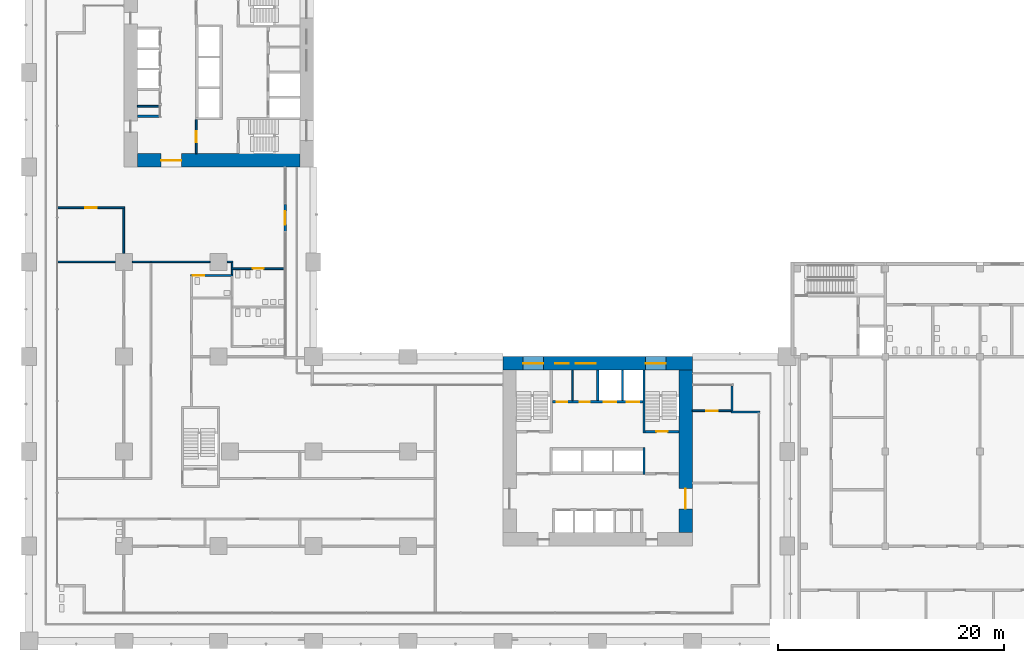
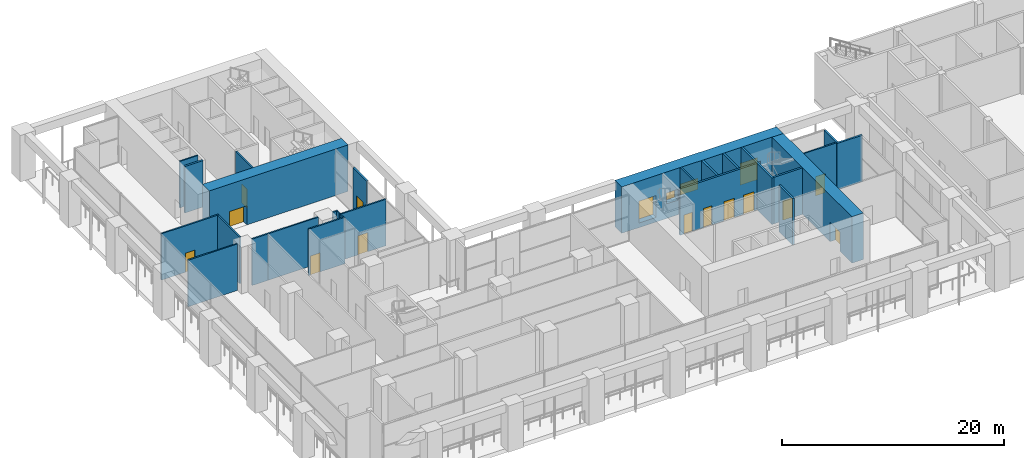
# One storey, part 17 of 33: 27 walls, 13 doors, 4 windows, 17 openings.
"""IFC4 building model written with IfcOpenShell, lengths in metres."""

from ifc_helpers import new_model, si_unit, direction, frame, frame_2d, origin, place, context, subcontext, project, spatial, rectangle, extrude, material, layer, layer_set, type_object, element, fill, save


model = new_model("IFC4")

# Units and contexts
model_context = context("Model", 3, precision=1e-05, world=origin(), true_north=direction((0.0, 1.0)))
body_context = subcontext(model_context, "Body", "Model", "MODEL_VIEW")
ifc_project = project(units=[si_unit("LENGTHUNIT", "METRE"), si_unit("AREAUNIT", "SQUARE_METRE"), si_unit("VOLUMEUNIT", "CUBIC_METRE"), si_unit("PLANEANGLEUNIT", "RADIAN"), si_unit("MASSUNIT", "GRAM", prefix="KILO")], contexts=[model_context])

# Site, building, storey
site_placement = place(None, origin())
site = spatial("IfcSite", under=ifc_project, at=site_placement, CompositionType="ELEMENT")
building_placement = place(site_placement, origin())
building = spatial("IfcBuilding", under=site, at=building_placement, Name="Vermilion Gate Residences", CompositionType="ELEMENT")
storey_placement = place(building_placement, frame((0.0, 0.0, 14.39990234375)))
storey = spatial("IfcBuildingStorey", under=building, at=storey_placement, Name="L02", CompositionType="ELEMENT", Elevation=14.39990234375)

# Walls
ifc_material_1 = material(Name="Masonry blockwork", Category="masonry")
ifc_layer_1 = layer(ifc_material_1, 0.14990234375)
ifc_layer_set_1 = layer_set([ifc_layer_1], Name="BLOCKWORK PARTITION 150 EI 120")
wall_type_1 = type_object("IfcWallType", Name="BLOCKWORK PARTITION 150 EI 120", PredefinedType="PARTITIONING", material=ifc_layer_set_1)
wall_1_placement = place(storey_placement, frame((48.16259765625, 21.300048828125, 0.0), z_axis=(0.0, 0.0, 1.0), x_axis=(0.0, 1.0, 0.0)))
element("IfcWall", 1, at=wall_1_placement, inside=storey, type_object=wall_type_1, Name="Core room partition A02-NR-P0", PredefinedType="PARTITIONING", context=body_context, shape_type="SweptSolid", body=[
    extrude(rectangle(XDim=2.699951171875, YDim=0.14990234375, at=frame_2d((1.35009765625, 0.0))), origin(), (0.0, 0.0, 1.0), 5.10009765625),
])
wall_2_placement = place(storey_placement, frame((9.60009765625, 47.392578125, 0.0), z_axis=(0.0, 0.0, 1.0), x_axis=(1.0, 0.0, 0.0)))
element("IfcWall", 2, at=wall_2_placement, inside=storey, type_object=wall_type_1, Name="Core room partition B02-SR-P0", PredefinedType="PARTITIONING", context=body_context, shape_type="SweptSolid", body=[
    extrude(rectangle(XDim=1.89990234375, YDim=0.14990234375, at=frame_2d((0.949951171875, 0.0))), origin(), (0.0, 0.0, 1.0), 5.10009765625),
])

# Wall, opening, door
wall_3_placement = place(storey_placement, frame((14.824951171875, 46.199951171875, 0.0), z_axis=(0.0, 0.0, 1.0), x_axis=(0.0, -1.0, 0.0)))
wall_3 = element("IfcWall", 3, at=wall_3_placement, inside=storey, type_object=wall_type_1, Name="Core room partition B02-VE-S", PredefinedType="PARTITIONING", context=body_context, shape_type="SweptSolid", body=[
    extrude(rectangle(XDim=3.0, YDim=0.14990234375, at=frame_2d((1.5, 0.0))), origin(), (0.0, 0.0, 1.0), 5.10009765625),
])
opening_1_placement = place(wall_3_placement, frame((1.0, 0.0, 0.0)))
opening_1 = element("IfcOpeningElement", 4, at=opening_1_placement, cuts=wall_3, Name="Opening DK02115", PredefinedType="OPENING", context=body_context, shape_type="SweptSolid", body=[
    extrude(rectangle(XDim=1.0, YDim=2.10009765625, at=frame_2d((0.5, 1.050048828125))), frame((0.0, 0.0849609375, 0.0), z_axis=(0.0, -1.0, 0.0), x_axis=(1.0, 0.0, 0.0)), (0.0, 0.0, 1.0), 0.169921875),
])
ifc_material_2 = material(Name="Steel", Category="steel")
door_type_1 = type_object("IfcDoorType", Name="FIRE DOOR FD60 1000 X 2100", OperationType="SINGLE_SWING_LEFT", PredefinedType="DOOR", material=ifc_material_2)
door_1_placement = place(opening_1_placement, frame((1.0, 0.0, 0.0), z_axis=(0.0, 0.0, 1.0), x_axis=(-1.0, 0.0, 0.0)))
door_1 = element("IfcDoor", 5, at=door_1_placement, inside=storey, type_object=door_type_1, Name="Stair vestibule door B02", OperationType="SINGLE_SWING_LEFT", OverallHeight=2.10009765625, OverallWidth=1.0, PredefinedType="DOOR", context=body_context, shape_type="SweptSolid", body=[
    extrude(rectangle(XDim=1.0, YDim=2.10009765625, at=frame_2d((0.5, 1.050048828125))), frame((0.0, 0.02490234375, 0.0), z_axis=(0.0, -1.0, 0.0), x_axis=(1.0, 0.0, 0.0)), (0.0, 0.0, 1.0), 0.050048828125),
])
fill(opening_1, door_1)

# Walls
ifc_material_3 = material(Name="Insulated steel stud wall with terracotta rainscreen", Category="masonry")
ifc_layer_2 = layer(ifc_material_3, 0.199951171875)
ifc_layer_set_2 = layer_set([ifc_layer_2], Name="EXTERNAL WALL 200 TERRACOTTA RAINSCREEN")
wall_type_2 = type_object("IfcWallType", Name="EXTERNAL WALL 200 TERRACOTTA RAINSCREEN", PredefinedType="SOLIDWALL", material=ifc_layer_set_2)
wall_4_placement = place(storey_placement, frame((64.800048828125, 20.300048828125, 0.0), z_axis=(0.0, 0.0, 1.0), x_axis=(-1.0, 0.0, 0.0)))
element("IfcWall", 6, at=wall_4_placement, inside=storey, type_object=wall_type_2, Name="External wall", PredefinedType="SOLIDWALL", context=body_context, shape_type="SweptSolid", body=[
    extrude(rectangle(XDim=2.60009765625, YDim=0.199951171875, at=frame_2d((1.300048828125, 0.0))), origin(), (0.0, 0.0, 1.0), 5.10009765625),
])
wall_5_placement = place(storey_placement, frame((62.300048828125, 20.39990234375, 0.0), z_axis=(0.0, 0.0, 1.0), x_axis=(0.0, 1.0, 0.0)))
element("IfcWall", 7, at=wall_5_placement, inside=storey, type_object=wall_type_2, Name="External wall", PredefinedType="SOLIDWALL", context=body_context, shape_type="SweptSolid", body=[
    extrude(rectangle(XDim=2.2001953125, YDim=0.199951171875, at=frame_2d((1.10009765625, 0.0))), origin(), (0.0, 0.0, 1.0), 5.10009765625),
])

# Wall, opening, door
wall_6_placement = place(storey_placement, frame((22.699951171875, 36.300048828125, 0.0), z_axis=(0.0, 0.0, 1.0), x_axis=(0.0, 1.0, 0.0)))
wall_6 = element("IfcWall", 8, at=wall_6_placement, inside=storey, type_object=wall_type_2, Name="External wall", PredefinedType="SOLIDWALL", context=body_context, shape_type="SweptSolid", body=[
    extrude(rectangle(XDim=2.39990234375, YDim=0.199951171875, at=frame_2d((1.199951171875, 0.0))), origin(), (0.0, 0.0, 1.0), 5.10009765625),
])
opening_2_placement = place(wall_6_placement, frame((0.60009765625, 0.0, 0.0)))
opening_2 = element("IfcOpeningElement", 9, at=opening_2_placement, cuts=wall_6, Name="Opening DE02003", PredefinedType="OPENING", context=body_context, shape_type="SweptSolid", body=[
    extrude(rectangle(XDim=1.199951171875, YDim=2.39990234375, at=frame_2d((0.60009765625, 1.199951171875))), frame((0.0, 0.10986328125, 0.0), z_axis=(0.0, -1.0, 0.0), x_axis=(1.0, 0.0, 0.0)), (0.0, 0.0, 1.0), 0.219970703125),
])
ifc_material_4 = material(Name="Aluminium and clear glass", Category="aluminium")
door_type_2 = type_object("IfcDoorType", Name="GLAZED EXTERNAL DOOR 1200 X 2400", OperationType="SINGLE_SWING_LEFT", PredefinedType="DOOR", material=ifc_material_4)
door_2_placement = place(opening_2_placement, frame((1.199951171875, 0.0, 0.0), z_axis=(0.0, 0.0, 1.0), x_axis=(-1.0, 0.0, 0.0)))
door_2 = element("IfcDoor", 10, at=door_2_placement, inside=storey, type_object=door_type_2, Name="Terrace door", OperationType="SINGLE_SWING_RIGHT", OverallHeight=2.39990234375, OverallWidth=1.199951171875, PredefinedType="DOOR", context=body_context, shape_type="SweptSolid", body=[
    extrude(rectangle(XDim=1.199951171875, YDim=2.39990234375, at=frame_2d((0.60009765625, 1.199951171875))), frame((0.0, 0.02490234375, 0.0), z_axis=(0.0, -1.0, 0.0), x_axis=(1.0, 0.0, 0.0)), (0.0, 0.0, 1.0), 0.050048828125),
])
fill(opening_2, door_2)

# Wall
ifc_material_5 = material(Name="Gypsum board on steel studs", Category="steel")
ifc_layer_3 = layer(ifc_material_5, 0.14990234375)
ifc_layer_set_3 = layer_set([ifc_layer_3], Name="PARTITION 150 EI 60 (AMENITY)")
wall_type_3 = type_object("IfcWallType", Name="PARTITION 150 EI 60 (AMENITY)", PredefinedType="PARTITIONING", material=ifc_layer_set_3)
wall_7_placement = place(storey_placement, frame((2.5, 33.60009765625, 0.0), z_axis=(0.0, 0.0, 1.0), x_axis=(1.0, 0.0, 0.0)))
element("IfcWall", 11, at=wall_7_placement, inside=storey, type_object=wall_type_3, Name="Partition 3", PredefinedType="PARTITIONING", context=body_context, shape_type="SweptSolid", body=[
    extrude(rectangle(XDim=5.14990234375, YDim=0.14990234375, at=frame_2d((2.574951171875, 0.0))), origin(), (0.0, 0.0, 1.0), 5.10009765625),
])

# Wall, opening, door
wall_8_placement = place(storey_placement, frame((2.5, 38.39990234375, 0.0), z_axis=(0.0, 0.0, 1.0), x_axis=(1.0, 0.0, 0.0)))
wall_8 = element("IfcWall", 12, at=wall_8_placement, inside=storey, type_object=wall_type_3, Name="Partition 4", PredefinedType="PARTITIONING", context=body_context, shape_type="SweptSolid", body=[
    extrude(rectangle(XDim=5.97509765625, YDim=0.14990234375, at=frame_2d((2.987548828125, 0.0))), origin(), (0.0, 0.0, 1.0), 5.10009765625),
])
opening_3_placement = place(wall_8_placement, frame((2.487548828125, 0.0, 0.0)))
opening_3 = element("IfcOpeningElement", 13, at=opening_3_placement, cuts=wall_8, Name="Opening DM02016", PredefinedType="OPENING", context=body_context, shape_type="SweptSolid", body=[
    extrude(rectangle(XDim=1.0, YDim=2.10009765625, at=frame_2d((0.5, 1.050048828125))), frame((0.0, 0.0849609375, 0.0), z_axis=(0.0, -1.0, 0.0), x_axis=(1.0, 0.0, 0.0)), (0.0, 0.0, 1.0), 0.169921875),
])
ifc_material_6 = material(Name="Steel", Category="steel")
door_type_3 = type_object("IfcDoorType", Name="DOOR 1000 X 2100 FD30 (AMENITY)", OperationType="SINGLE_SWING_LEFT", PredefinedType="DOOR", material=ifc_material_6)
door_3_placement = place(opening_3_placement, frame((1.0, 0.0, 0.0), z_axis=(0.0, 0.0, 1.0), x_axis=(-1.0, 0.0, 0.0)))
door_3 = element("IfcDoor", 14, at=door_3_placement, inside=storey, type_object=door_type_3, Name="Door L02 16", OperationType="SINGLE_SWING_LEFT", OverallHeight=2.10009765625, OverallWidth=1.0, PredefinedType="DOOR", context=body_context, shape_type="SweptSolid", body=[
    extrude(rectangle(XDim=1.0, YDim=2.10009765625, at=frame_2d((0.5, 1.050048828125))), frame((0.0, 0.02490234375, 0.0), z_axis=(0.0, -1.0, 0.0), x_axis=(1.0, 0.0, 0.0)), (0.0, 0.0, 1.0), 0.050048828125),
])
fill(opening_3, door_3)

# Walls
wall_9_placement = place(storey_placement, frame((8.39990234375, 34.35009765625, 0.0), z_axis=(0.0, 0.0, 1.0), x_axis=(0.0, 1.0, 0.0)))
element("IfcWall", 15, at=wall_9_placement, inside=storey, type_object=wall_type_3, Name="Partition 13", PredefinedType="PARTITIONING", context=body_context, shape_type="SweptSolid", body=[
    extrude(rectangle(XDim=3.974853515625, YDim=0.14990234375, at=frame_2d((1.9873046875, 0.0))), origin(), (0.0, 0.0, 1.0), 5.10009765625),
])
wall_10_placement = place(storey_placement, frame((9.14990234375, 33.60009765625, 0.0), z_axis=(0.0, 0.0, 1.0), x_axis=(1.0, 0.0, 0.0)))
element("IfcWall", 16, at=wall_10_placement, inside=storey, type_object=wall_type_3, Name="Partition 14", PredefinedType="PARTITIONING", context=body_context, shape_type="SweptSolid", body=[
    extrude(rectangle(XDim=1.650146484375, YDim=0.14990234375, at=frame_2d((0.8251953125, 0.0))), origin(), (0.0, 0.0, 1.0), 5.10009765625),
])
wall_11_placement = place(storey_placement, frame((10.800048828125, 33.60009765625, 0.0), z_axis=(0.0, 0.0, 1.0), x_axis=(1.0, 0.0, 0.0)))
element("IfcWall", 17, at=wall_11_placement, inside=storey, type_object=wall_type_3, Name="Partition 16", PredefinedType="PARTITIONING", context=body_context, shape_type="SweptSolid", body=[
    extrude(rectangle(XDim=5.25, YDim=0.14990234375, at=frame_2d((2.625, 0.0))), origin(), (0.0, 0.0, 1.0), 5.10009765625),
])
wall_12_placement = place(storey_placement, frame((17.550048828125, 33.60009765625, 0.0), z_axis=(0.0, 0.0, 1.0), x_axis=(1.0, 0.0, 0.0)))
element("IfcWall", 18, at=wall_12_placement, inside=storey, type_object=wall_type_3, Name="Partition 17", PredefinedType="PARTITIONING", context=body_context, shape_type="SweptSolid", body=[
    extrude(rectangle(XDim=0.52490234375, YDim=0.14990234375, at=frame_2d((0.262451171875, 0.0))), origin(), (0.0, 0.0, 1.0), 5.10009765625),
])

# Wall, opening, door
wall_13_placement = place(storey_placement, frame((14.324951171875, 32.39990234375, 0.0), z_axis=(0.0, 0.0, 1.0), x_axis=(1.0, 0.0, 0.0)))
wall_13 = element("IfcWall", 19, at=wall_13_placement, inside=storey, type_object=wall_type_3, Name="Partition 24", PredefinedType="PARTITIONING", context=body_context, shape_type="SweptSolid", body=[
    extrude(rectangle(XDim=3.75, YDim=0.14990234375, at=frame_2d((1.875, 0.0))), origin(), (0.0, 0.0, 1.0), 5.10009765625),
])
opening_4_placement = place(wall_13_placement, frame((0.199951171875, 0.0, 0.0)))
opening_4 = element("IfcOpeningElement", 20, at=opening_4_placement, cuts=wall_13, Name="Opening DM02014", PredefinedType="OPENING", context=body_context, shape_type="SweptSolid", body=[
    extrude(rectangle(XDim=1.0, YDim=2.10009765625, at=frame_2d((0.5, 1.050048828125))), frame((0.0, 0.0849609375, 0.0), z_axis=(0.0, -1.0, 0.0), x_axis=(1.0, 0.0, 0.0)), (0.0, 0.0, 1.0), 0.169921875),
])
door_4_placement = place(opening_4_placement, frame((1.0, 0.0, 0.0), z_axis=(0.0, 0.0, 1.0), x_axis=(-1.0, 0.0, 0.0)))
door_4 = element("IfcDoor", 21, at=door_4_placement, inside=storey, type_object=door_type_3, Name="Door L02 14", OperationType="SINGLE_SWING_RIGHT", OverallHeight=2.10009765625, OverallWidth=1.0, PredefinedType="DOOR", context=body_context, shape_type="SweptSolid", body=[
    extrude(rectangle(XDim=1.0, YDim=2.10009765625, at=frame_2d((0.5, 1.050048828125))), frame((0.0, 0.02490234375, 0.0), z_axis=(0.0, -1.0, 0.0), x_axis=(1.0, 0.0, 0.0)), (0.0, 0.0, 1.0), 0.050048828125),
])
fill(opening_4, door_4)

# Walls
for number, where, z_axis, x_axis, name in (
    (22, (18.0, 32.47509765625, 0.0), (0.0, 0.0, 1.0), (0.0, 1.0, 0.0), "Partition 36"),
    (23, (18.0, 33.074951171875, 0.0), (0.0, 0.0, 1.0), (0.0, 1.0, 0.0), "Partition 37"),
):
    element("IfcWall", number, at=place(storey_placement, frame(where, z_axis=z_axis, x_axis=x_axis)), inside=storey, type_object=wall_type_3, Name=name, PredefinedType="PARTITIONING", context=body_context, shape_type="SweptSolid", body=[
        extrude(rectangle(XDim=0.449951171875, YDim=0.14990234375, at=frame_2d((0.22509765625, 0.0))), origin(), (0.0, 0.0, 1.0), 5.10009765625),
    ])

# Wall, opening, door
wall_14_placement = place(storey_placement, frame((17.925048828125, 33.0, 0.0), z_axis=(0.0, 0.0, 1.0), x_axis=(1.0, 0.0, 0.0)))
wall_14 = element("IfcWall", 24, at=wall_14_placement, inside=storey, type_object=wall_type_3, Name="Partition 38", PredefinedType="PARTITIONING", context=body_context, shape_type="SweptSolid", body=[
    extrude(rectangle(XDim=4.77490234375, YDim=0.14990234375, at=frame_2d((2.387451171875, 0.0))), origin(), (0.0, 0.0, 1.0), 5.10009765625),
])
opening_5_placement = place(wall_14_placement, frame((1.887451171875, 0.0, 0.0)))
opening_5 = element("IfcOpeningElement", 25, at=opening_5_placement, cuts=wall_14, Name="Opening DM02013", PredefinedType="OPENING", context=body_context, shape_type="SweptSolid", body=[
    extrude(rectangle(XDim=1.0, YDim=2.10009765625, at=frame_2d((0.5, 1.050048828125))), frame((0.0, 0.0849609375, 0.0), z_axis=(0.0, -1.0, 0.0), x_axis=(1.0, 0.0, 0.0)), (0.0, 0.0, 1.0), 0.169921875),
])
door_5_placement = place(opening_5_placement, origin())
door_5 = element("IfcDoor", 26, at=door_5_placement, inside=storey, type_object=door_type_3, Name="Door L02 13", OperationType="SINGLE_SWING_LEFT", OverallHeight=2.10009765625, OverallWidth=1.0, PredefinedType="DOOR", context=body_context, shape_type="SweptSolid", body=[
    extrude(rectangle(XDim=1.0, YDim=2.10009765625, at=frame_2d((0.5, 1.050048828125))), frame((0.0, 0.02490234375, 0.0), z_axis=(0.0, -1.0, 0.0), x_axis=(1.0, 0.0, 0.0)), (0.0, 0.0, 1.0), 0.050048828125),
])
fill(opening_5, door_5)

wall_15_placement = place(storey_placement, frame((58.800048828125, 20.39990234375, 0.0), z_axis=(0.0, 0.0, 1.0), x_axis=(1.0, 0.0, 0.0)))
wall_15 = element("IfcWall", 27, at=wall_15_placement, inside=storey, type_object=wall_type_3, Name="Partition 55", PredefinedType="PARTITIONING", context=body_context, shape_type="SweptSolid", body=[
    extrude(rectangle(XDim=3.5, YDim=0.14990234375, at=frame_2d((1.75, 0.0))), origin(), (0.0, 0.0, 1.0), 5.10009765625),
])
opening_6_placement = place(wall_15_placement, frame((1.25, 0.0, 0.0)))
opening_6 = element("IfcOpeningElement", 28, at=opening_6_placement, cuts=wall_15, Name="Opening DM02018", PredefinedType="OPENING", context=body_context, shape_type="SweptSolid", body=[
    extrude(rectangle(XDim=1.0, YDim=2.10009765625, at=frame_2d((0.5, 1.050048828125))), frame((0.0, 0.0849609375, 0.0), z_axis=(0.0, -1.0, 0.0), x_axis=(1.0, 0.0, 0.0)), (0.0, 0.0, 1.0), 0.169921875),
])
door_6_placement = place(opening_6_placement, origin())
door_6 = element("IfcDoor", 29, at=door_6_placement, inside=storey, type_object=door_type_3, Name="Door L02 18", OperationType="SINGLE_SWING_RIGHT", OverallHeight=2.10009765625, OverallWidth=1.0, PredefinedType="DOOR", context=body_context, shape_type="SweptSolid", body=[
    extrude(rectangle(XDim=1.0, YDim=2.10009765625, at=frame_2d((0.5, 1.050048828125))), frame((0.0, 0.02490234375, 0.0), z_axis=(0.0, -1.0, 0.0), x_axis=(1.0, 0.0, 0.0)), (0.0, 0.0, 1.0), 0.050048828125),
])
fill(opening_6, door_6)

# Walls
ifc_material_7 = material(Name="Concrete C60", Category="concrete")
ifc_layer_4 = layer(ifc_material_7, 0.199951171875)
ifc_layer_set_4 = layer_set([ifc_layer_4], Name="RC CORE INTERNAL WALL 200 C60")
wall_type_4 = type_object("IfcWallType", Name="RC CORE INTERNAL WALL 200 C60", PredefinedType="SHEAR", material=ifc_layer_set_4)
for number, where, z_axis, x_axis, name in (
    (30, (50.39990234375, 21.300048828125, 0.0), (0.0, 0.0, 1.0), (0.0, 1.0, 0.0), "Core internal wall A02-FF-D0"),
    (31, (52.60009765625, 21.300048828125, 0.0), (0.0, 0.0, 1.0), (0.0, 1.0, 0.0), "Core internal wall A02-FF-D1"),
):
    element("IfcWall", number, at=place(storey_placement, frame(where, z_axis=z_axis, x_axis=x_axis)), inside=storey, type_object=wall_type_4, Name=name, PredefinedType="SHEAR", context=body_context, shape_type="SweptSolid", body=[
        extrude(rectangle(XDim=2.699951171875, YDim=0.199951171875, at=frame_2d((1.35009765625, 0.0))), origin(), (0.0, 0.0, 1.0), 5.10009765625),
    ])

# Wall, openings, doors
wall_16_placement = place(storey_placement, frame((46.39990234375, 21.199951171875, 0.0), z_axis=(0.0, 0.0, 1.0), x_axis=(1.0, 0.0, 0.0)))
wall_16 = element("IfcWall", 32, at=wall_16_placement, inside=storey, type_object=wall_type_4, Name="Core internal wall A02-FF-F", PredefinedType="SHEAR", context=body_context, shape_type="SweptSolid", body=[
    extrude(rectangle(XDim=8.0, YDim=0.199951171875, at=frame_2d((4.0, 0.0))), origin(), (0.0, 0.0, 1.0), 5.10009765625),
])
opening_7_placement = place(wall_16_placement, frame((0.393798828125, 0.0, 0.0)))
opening_7 = element("IfcOpeningElement", 33, at=opening_7_placement, cuts=wall_16, Name="Opening DK02010", PredefinedType="OPENING", context=body_context, shape_type="SweptSolid", body=[
    extrude(rectangle(XDim=0.89990234375, YDim=2.10009765625, at=frame_2d((0.449951171875, 1.050048828125))), frame((0.0, 0.10986328125, 0.0), z_axis=(0.0, -1.0, 0.0), x_axis=(1.0, 0.0, 0.0)), (0.0, 0.0, 1.0), 0.219970703125),
])
opening_8_placement = place(wall_16_placement, frame((2.418701171875, 0.0, 0.0)))
opening_8 = element("IfcOpeningElement", 34, at=opening_8_placement, cuts=wall_16, Name="Opening DK02011", PredefinedType="OPENING", context=body_context, shape_type="SweptSolid", body=[
    extrude(rectangle(XDim=0.89990234375, YDim=2.10009765625, at=frame_2d((0.449951171875, 1.050048828125))), frame((0.0, 0.10986328125, 0.0), z_axis=(0.0, -1.0, 0.0), x_axis=(1.0, 0.0, 0.0)), (0.0, 0.0, 1.0), 0.219970703125),
])
opening_9_placement = place(wall_16_placement, frame((4.550048828125, 0.0, 0.0)))
opening_9 = element("IfcOpeningElement", 35, at=opening_9_placement, cuts=wall_16, Name="Opening LD", PredefinedType="OPENING", context=body_context, shape_type="SweptSolid", body=[
    extrude(rectangle(XDim=1.10009765625, YDim=2.10009765625, at=frame_2d((0.550048828125, 1.050048828125))), frame((0.0, 0.10986328125, 0.0), z_axis=(0.0, -1.0, 0.0), x_axis=(1.0, 0.0, 0.0)), (0.0, 0.0, 1.0), 0.219970703125),
])
opening_10_placement = place(wall_16_placement, frame((6.60009765625, 0.0, 0.0)))
opening_10 = element("IfcOpeningElement", 36, at=opening_10_placement, cuts=wall_16, Name="Opening LD", PredefinedType="OPENING", context=body_context, shape_type="SweptSolid", body=[
    extrude(rectangle(XDim=1.10009765625, YDim=2.10009765625, at=frame_2d((0.550048828125, 1.050048828125))), frame((0.0, 0.10986328125, 0.0), z_axis=(0.0, -1.0, 0.0), x_axis=(1.0, 0.0, 0.0)), (0.0, 0.0, 1.0), 0.219970703125),
])
ifc_material_8 = material(Name="Stainless steel", Category="steel")
door_type_4 = type_object("IfcDoorType", Name="LIFT LANDING DOOR E60 1100 X 2100", OperationType="DOUBLE_DOOR_SLIDING", PredefinedType="DOOR", material=ifc_material_8)
door_7_placement = place(opening_9_placement, origin())
door_7 = element("IfcDoor", 37, at=door_7_placement, inside=storey, type_object=door_type_4, Name="Lift landing door LFA1", OperationType="DOUBLE_DOOR_SLIDING", OverallHeight=2.10009765625, OverallWidth=1.10009765625, PredefinedType="DOOR", context=body_context, shape_type="SweptSolid", body=[
    extrude(rectangle(XDim=1.10009765625, YDim=2.10009765625, at=frame_2d((0.550048828125, 1.050048828125))), frame((0.0, 0.02490234375, 0.0), z_axis=(0.0, -1.0, 0.0), x_axis=(1.0, 0.0, 0.0)), (0.0, 0.0, 1.0), 0.050048828125),
])
fill(opening_9, door_7)
door_8_placement = place(opening_10_placement, origin())
door_8 = element("IfcDoor", 38, at=door_8_placement, inside=storey, type_object=door_type_4, Name="Lift landing door LCA1", OperationType="DOUBLE_DOOR_SLIDING", OverallHeight=2.10009765625, OverallWidth=1.10009765625, PredefinedType="DOOR", context=body_context, shape_type="SweptSolid", body=[
    extrude(rectangle(XDim=1.10009765625, YDim=2.10009765625, at=frame_2d((0.550048828125, 1.050048828125))), frame((0.0, 0.02490234375, 0.0), z_axis=(0.0, -1.0, 0.0), x_axis=(1.0, 0.0, 0.0)), (0.0, 0.0, 1.0), 0.050048828125),
])
fill(opening_10, door_8)
ifc_material_9 = material(Name="Steel", Category="steel")
door_type_5 = type_object("IfcDoorType", Name="SERVICE ROOM DOOR FD60 900 X 2100", OperationType="SINGLE_SWING_LEFT", PredefinedType="DOOR", material=ifc_material_9)
door_9_placement = place(opening_7_placement, origin())
door_9 = element("IfcDoor", 39, at=door_9_placement, inside=storey, type_object=door_type_5, Name="Housekeeping store A02", OperationType="SINGLE_SWING_LEFT", OverallHeight=2.10009765625, OverallWidth=0.89990234375, PredefinedType="DOOR", context=body_context, shape_type="SweptSolid", body=[
    extrude(rectangle(XDim=0.89990234375, YDim=2.10009765625, at=frame_2d((0.449951171875, 1.050048828125))), frame((0.0, 0.02490234375, 0.0), z_axis=(0.0, -1.0, 0.0), x_axis=(1.0, 0.0, 0.0)), (0.0, 0.0, 1.0), 0.050048828125),
])
fill(opening_7, door_9)
door_10_placement = place(opening_8_placement, origin())
door_10 = element("IfcDoor", 40, at=door_10_placement, inside=storey, type_object=door_type_5, Name="Mail room A02", OperationType="SINGLE_SWING_LEFT", OverallHeight=2.10009765625, OverallWidth=0.89990234375, PredefinedType="DOOR", context=body_context, shape_type="SweptSolid", body=[
    extrude(rectangle(XDim=0.89990234375, YDim=2.10009765625, at=frame_2d((0.449951171875, 1.050048828125))), frame((0.0, 0.02490234375, 0.0), z_axis=(0.0, -1.0, 0.0), x_axis=(1.0, 0.0, 0.0)), (0.0, 0.0, 1.0), 0.050048828125),
])
fill(opening_8, door_10)

# Walls
wall_17_placement = place(storey_placement, frame((54.5, 14.75, 0.0), z_axis=(0.0, 0.0, 1.0), x_axis=(0.0, 1.0, 0.0)))
element("IfcWall", 41, at=wall_17_placement, inside=storey, type_object=wall_type_4, Name="Core internal wall A02-EDIV1", PredefinedType="SHEAR", context=body_context, shape_type="SweptSolid", body=[
    extrude(rectangle(XDim=2.39990234375, YDim=0.199951171875, at=frame_2d((1.199951171875, 0.0))), origin(), (0.0, 0.0, 1.0), 5.10009765625),
])
wall_18_placement = place(storey_placement, frame((54.5, 18.449951171875, 0.0), z_axis=(0.0, 0.0, 1.0), x_axis=(0.0, 1.0, 0.0)))
element("IfcWall", 42, at=wall_18_placement, inside=storey, type_object=wall_type_4, Name="Core internal wall A02-EDIV2", PredefinedType="SHEAR", context=body_context, shape_type="SweptSolid", body=[
    extrude(rectangle(XDim=5.550048828125, YDim=0.199951171875, at=frame_2d((2.77490234375, 0.0))), origin(), (0.0, 0.0, 1.0), 5.10009765625),
])

# Wall, opening, door
wall_19_placement = place(storey_placement, frame((54.60009765625, 18.550048828125, 0.0), z_axis=(0.0, 0.0, 1.0), x_axis=(1.0, 0.0, 0.0)))
wall_19 = element("IfcWall", 43, at=wall_19_placement, inside=storey, type_object=wall_type_4, Name="Core internal wall A02-STE-S", PredefinedType="SHEAR", context=body_context, shape_type="SweptSolid", body=[
    extrude(rectangle(XDim=3.0, YDim=0.199951171875, at=frame_2d((1.5, 0.0))), origin(), (0.0, 0.0, 1.0), 5.10009765625),
])
opening_11_placement = place(wall_19_placement, frame((1.0, 0.0, 0.0)))
opening_11 = element("IfcOpeningElement", 44, at=opening_11_placement, cuts=wall_19, Name="Opening DK02017", PredefinedType="OPENING", context=body_context, shape_type="SweptSolid", body=[
    extrude(rectangle(XDim=1.0, YDim=2.10009765625, at=frame_2d((0.5, 1.050048828125))), frame((0.0, 0.10986328125, 0.0), z_axis=(0.0, -1.0, 0.0), x_axis=(1.0, 0.0, 0.0)), (0.0, 0.0, 1.0), 0.219970703125),
])
door_11_placement = place(opening_11_placement, origin())
door_11 = element("IfcDoor", 45, at=door_11_placement, inside=storey, type_object=door_type_1, Name="Stair door A02", OperationType="SINGLE_SWING_LEFT", OverallHeight=2.10009765625, OverallWidth=1.0, PredefinedType="DOOR", context=body_context, shape_type="SweptSolid", body=[
    extrude(rectangle(XDim=1.0, YDim=2.10009765625, at=frame_2d((0.5, 1.050048828125))), frame((0.0, 0.02490234375, 0.0), z_axis=(0.0, -1.0, 0.0), x_axis=(1.0, 0.0, 0.0)), (0.0, 0.0, 1.0), 0.050048828125),
])
fill(opening_11, door_11)

# Wall
wall_20_placement = place(storey_placement, frame((9.60009765625, 46.5, 0.0), z_axis=(0.0, 0.0, 1.0), x_axis=(1.0, 0.0, 0.0)))
element("IfcWall", 46, at=wall_20_placement, inside=storey, type_object=wall_type_4, Name="Core internal wall B02-LR-DE", PredefinedType="SHEAR", context=body_context, shape_type="SweptSolid", body=[
    extrude(rectangle(XDim=1.89990234375, YDim=0.199951171875, at=frame_2d((0.949951171875, 0.0))), origin(), (0.0, 0.0, 1.0), 5.10009765625),
])

# Wall, opening, door
ifc_material_10 = material(Name="Concrete C80", Category="concrete")
ifc_layer_5 = layer(ifc_material_10, 1.199951171875)
ifc_layer_set_5 = layer_set([ifc_layer_5], Name="RC CORE WALL 1200 C80")
wall_type_5 = type_object("IfcWallType", Name="RC CORE WALL 1200 C80", PredefinedType="SHEAR", material=ifc_layer_set_5)
wall_21_placement = place(storey_placement, frame((58.199951171875, 9.60009765625, 0.0), z_axis=(0.0, 0.0, 1.0), x_axis=(0.0, 1.0, 0.0)))
wall_21 = element("IfcWall", 47, at=wall_21_placement, inside=storey, type_object=wall_type_5, Name="Core wall A02-OUT-BK", PredefinedType="SHEAR", context=body_context, shape_type="SweptSolid", body=[
    extrude(rectangle(XDim=14.39990234375, YDim=1.199951171875, at=frame_2d((7.199951171875, 0.0))), origin(), (0.0, 0.0, 1.0), 5.10009765625),
])
opening_12_placement = place(wall_21_placement, frame((2.10009765625, 0.0, 0.0)))
opening_12 = element("IfcOpeningElement", 48, at=opening_12_placement, cuts=wall_21, Name="Opening DK02004", PredefinedType="OPENING", context=body_context, shape_type="SweptSolid", body=[
    extrude(rectangle(XDim=1.800048828125, YDim=2.10009765625, at=frame_2d((0.89990234375, 1.050048828125))), frame((0.0, 0.60986328125, 0.0), z_axis=(0.0, -1.0, 0.0), x_axis=(1.0, 0.0, 0.0)), (0.0, 0.0, 1.0), 1.219970703125),
])
ifc_material_11 = material(Name="Steel", Category="steel")
door_type_6 = type_object("IfcDoorType", Name="CORE LOBBY DOOR FD60 1800 X 2100", OperationType="DOUBLE_DOOR_SINGLE_SWING", PredefinedType="DOOR", material=ifc_material_11)
door_12_placement = place(opening_12_placement, origin())
door_12 = element("IfcDoor", 49, at=door_12_placement, inside=storey, type_object=door_type_6, Name="Core lobby door A02", OperationType="DOUBLE_DOOR_SINGLE_SWING", OverallHeight=2.10009765625, OverallWidth=1.800048828125, PredefinedType="DOOR", context=body_context, shape_type="SweptSolid", body=[
    extrude(rectangle(XDim=1.800048828125, YDim=2.10009765625, at=frame_2d((0.89990234375, 1.050048828125))), frame((0.0, 0.02490234375, 0.0), z_axis=(0.0, -1.0, 0.0), x_axis=(1.0, 0.0, 0.0)), (0.0, 0.0, 1.0), 0.050048828125),
])
fill(opening_12, door_12)

wall_22_placement = place(storey_placement, frame((9.60009765625, 42.60009765625, 0.0), z_axis=(0.0, 0.0, 1.0), x_axis=(1.0, 0.0, 0.0)))
wall_22 = element("IfcWall", 50, at=wall_22_placement, inside=storey, type_object=wall_type_5, Name="Core wall B02-OUT-BK", PredefinedType="SHEAR", context=body_context, shape_type="SweptSolid", body=[
    extrude(rectangle(XDim=14.39990234375, YDim=1.199951171875, at=frame_2d((7.199951171875, 0.0))), origin(), (0.0, 0.0, 1.0), 5.10009765625),
])
opening_13_placement = place(wall_22_placement, frame((2.10009765625, 0.0, 0.0)))
opening_13 = element("IfcOpeningElement", 51, at=opening_13_placement, cuts=wall_22, Name="Opening DK02103", PredefinedType="OPENING", context=body_context, shape_type="SweptSolid", body=[
    extrude(rectangle(XDim=1.800048828125, YDim=2.10009765625, at=frame_2d((0.89990234375, 1.050048828125))), frame((0.0, 0.60986328125, 0.0), z_axis=(0.0, -1.0, 0.0), x_axis=(1.0, 0.0, 0.0)), (0.0, 0.0, 1.0), 1.219970703125),
])
door_13_placement = place(opening_13_placement, frame((1.800048828125, 0.0, 0.0), z_axis=(0.0, 0.0, 1.0), x_axis=(-1.0, 0.0, 0.0)))
door_13 = element("IfcDoor", 52, at=door_13_placement, inside=storey, type_object=door_type_6, Name="Core lobby door B02", OperationType="DOUBLE_DOOR_SINGLE_SWING", OverallHeight=2.10009765625, OverallWidth=1.800048828125, PredefinedType="DOOR", context=body_context, shape_type="SweptSolid", body=[
    extrude(rectangle(XDim=1.800048828125, YDim=2.10009765625, at=frame_2d((0.89990234375, 1.050048828125))), frame((0.0, 0.02490234375, 0.0), z_axis=(0.0, -1.0, 0.0), x_axis=(1.0, 0.0, 0.0)), (0.0, 0.0, 1.0), 0.050048828125),
])
fill(opening_13, door_13)

# Wall, openings, windows
ifc_material_12 = material(Name="Concrete C80 red-oxide pigmented", Category="concrete")
ifc_layer_6 = layer(ifc_material_12, 1.199951171875)
ifc_layer_set_6 = layer_set([ifc_layer_6], Name="RC CORE WALL 1200 C80 RED OXIDE")
wall_type_6 = type_object("IfcWallType", Name="RC CORE WALL 1200 C80 RED OXIDE", PredefinedType="SHEAR", material=ifc_layer_set_6)
wall_23_placement = place(storey_placement, frame((42.0, 24.60009765625, 0.0), z_axis=(0.0, 0.0, 1.0), x_axis=(1.0, 0.0, 0.0)))
wall_23 = element("IfcWall", 53, at=wall_23_placement, inside=storey, type_object=wall_type_6, Name="Core wall A02-OUT-B1", PredefinedType="SHEAR", context=body_context, shape_type="SweptSolid", body=[
    extrude(rectangle(XDim=16.800048828125, YDim=1.199951171875, at=frame_2d((8.39990234375, 0.0))), origin(), (0.0, 0.0, 1.0), 5.10009765625),
])
opening_14_placement = place(wall_23_placement, frame((1.800048828125, 0.0, 0.5)))
opening_14 = element("IfcOpeningElement", 54, at=opening_14_placement, cuts=wall_23, Name="Opening WKA0201", PredefinedType="OPENING", context=body_context, shape_type="SweptSolid", body=[
    extrude(rectangle(XDim=1.800048828125, YDim=2.39990234375, at=frame_2d((0.89990234375, 1.199951171875))), frame((0.0, 0.60986328125, 0.0), z_axis=(0.0, -1.0, 0.0), x_axis=(1.0, 0.0, 0.0)), (0.0, 0.0, 1.0), 1.219970703125),
])
opening_15_placement = place(wall_23_placement, frame((4.643798828125, 0.0, 1.60009765625)))
opening_15 = element("IfcOpeningElement", 55, at=opening_15_placement, cuts=wall_23, Name="Opening WKA0202", PredefinedType="OPENING", context=body_context, shape_type="SweptSolid", body=[
    extrude(rectangle(XDim=1.199951171875, YDim=1.199951171875, at=frame_2d((0.60009765625, 0.60009765625))), frame((0.0, 0.60986328125, 0.0), z_axis=(0.0, -1.0, 0.0), x_axis=(1.0, 0.0, 0.0)), (0.0, 0.0, 1.0), 1.219970703125),
])
opening_16_placement = place(wall_23_placement, frame((6.449951171875, 0.0, 1.60009765625)))
opening_16 = element("IfcOpeningElement", 56, at=opening_16_placement, cuts=wall_23, Name="Opening WKA0203", PredefinedType="OPENING", context=body_context, shape_type="SweptSolid", body=[
    extrude(rectangle(XDim=1.800048828125, YDim=1.199951171875, at=frame_2d((0.89990234375, 0.60009765625))), frame((0.0, 0.60986328125, 0.0), z_axis=(0.0, -1.0, 0.0), x_axis=(1.0, 0.0, 0.0)), (0.0, 0.0, 1.0), 1.219970703125),
])
opening_17_placement = place(wall_23_placement, frame((12.64990234375, 0.0, 0.5)))
opening_17 = element("IfcOpeningElement", 57, at=opening_17_placement, cuts=wall_23, Name="Opening WKA0204", PredefinedType="OPENING", context=body_context, shape_type="SweptSolid", body=[
    extrude(rectangle(XDim=1.800048828125, YDim=2.39990234375, at=frame_2d((0.89990234375, 1.199951171875))), frame((0.0, 0.60986328125, 0.0), z_axis=(0.0, -1.0, 0.0), x_axis=(1.0, 0.0, 0.0)), (0.0, 0.0, 1.0), 1.219970703125),
])
ifc_material_13 = material(Name="Aluminium frame with louvre blades", Category="aluminium")
window_type_1 = type_object("IfcWindowType", Name="CORE LOUVRE 1200 X 1200", PartitioningType="SINGLE_PANEL", PredefinedType="WINDOW", material=ifc_material_13)
window_1_placement = place(opening_15_placement, origin())
window_1 = element("IfcWindow", 58, at=window_1_placement, inside=storey, type_object=window_type_1, Name="Core louvre", OverallHeight=1.199951171875, OverallWidth=1.199951171875, PartitioningType="SINGLE_PANEL", PredefinedType="WINDOW", context=body_context, shape_type="SweptSolid", body=[
    extrude(rectangle(XDim=1.199951171875, YDim=1.199951171875, at=frame_2d((0.60009765625, 0.60009765625))), frame((0.0, 0.030029296875, 0.0), z_axis=(0.0, -1.0, 0.0), x_axis=(1.0, 0.0, 0.0)), (0.0, 0.0, 1.0), 0.06005859375),
])
fill(opening_15, window_1)
ifc_material_14 = material(Name="Aluminium frame with louvre blades", Category="aluminium")
window_type_2 = type_object("IfcWindowType", Name="CORE LOUVRE 1800 X 1200", PartitioningType="SINGLE_PANEL", PredefinedType="WINDOW", material=ifc_material_14)
window_2_placement = place(opening_16_placement, origin())
window_2 = element("IfcWindow", 59, at=window_2_placement, inside=storey, type_object=window_type_2, Name="Core louvre", OverallHeight=1.199951171875, OverallWidth=1.800048828125, PartitioningType="SINGLE_PANEL", PredefinedType="WINDOW", context=body_context, shape_type="SweptSolid", body=[
    extrude(rectangle(XDim=1.800048828125, YDim=1.199951171875, at=frame_2d((0.89990234375, 0.60009765625))), frame((0.0, 0.030029296875, 0.0), z_axis=(0.0, -1.0, 0.0), x_axis=(1.0, 0.0, 0.0)), (0.0, 0.0, 1.0), 0.06005859375),
])
fill(opening_16, window_2)
ifc_material_15 = material(Name="Aluminium and clear glass", Category="aluminium")
window_type_3 = type_object("IfcWindowType", Name="CORE STAIR WINDOW 1800 X 2400", PartitioningType="SINGLE_PANEL", PredefinedType="WINDOW", material=ifc_material_15)
window_3_placement = place(opening_14_placement, origin())
window_3 = element("IfcWindow", 60, at=window_3_placement, inside=storey, type_object=window_type_3, Name="Core stair window", OverallHeight=2.39990234375, OverallWidth=1.800048828125, PartitioningType="SINGLE_PANEL", PredefinedType="WINDOW", context=body_context, shape_type="SweptSolid", body=[
    extrude(rectangle(XDim=1.800048828125, YDim=2.39990234375, at=frame_2d((0.89990234375, 1.199951171875))), frame((0.0, 0.030029296875, 0.0), z_axis=(0.0, -1.0, 0.0), x_axis=(1.0, 0.0, 0.0)), (0.0, 0.0, 1.0), 0.06005859375),
])
fill(opening_14, window_3)
window_4_placement = place(opening_17_placement, origin())
window_4 = element("IfcWindow", 61, at=window_4_placement, inside=storey, type_object=window_type_3, Name="Core stair window", OverallHeight=2.39990234375, OverallWidth=1.800048828125, PartitioningType="SINGLE_PANEL", PredefinedType="WINDOW", context=body_context, shape_type="SweptSolid", body=[
    extrude(rectangle(XDim=1.800048828125, YDim=2.39990234375, at=frame_2d((0.89990234375, 1.199951171875))), frame((0.0, 0.030029296875, 0.0), z_axis=(0.0, -1.0, 0.0), x_axis=(1.0, 0.0, 0.0)), (0.0, 0.0, 1.0), 0.06005859375),
])
fill(opening_17, window_4)

save(model, "model.ifc")
